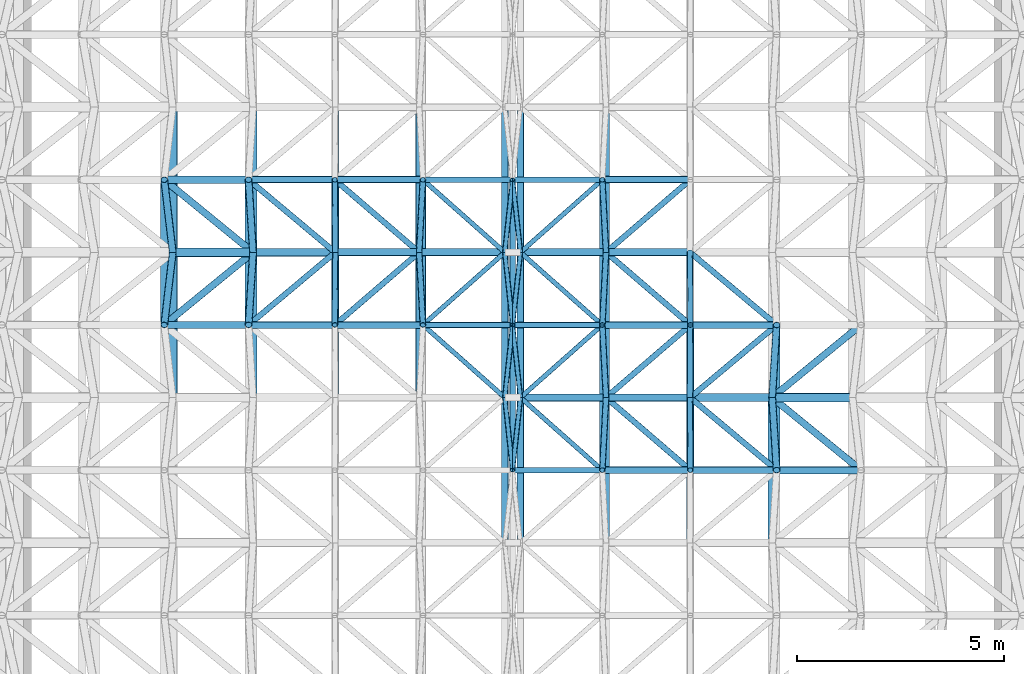
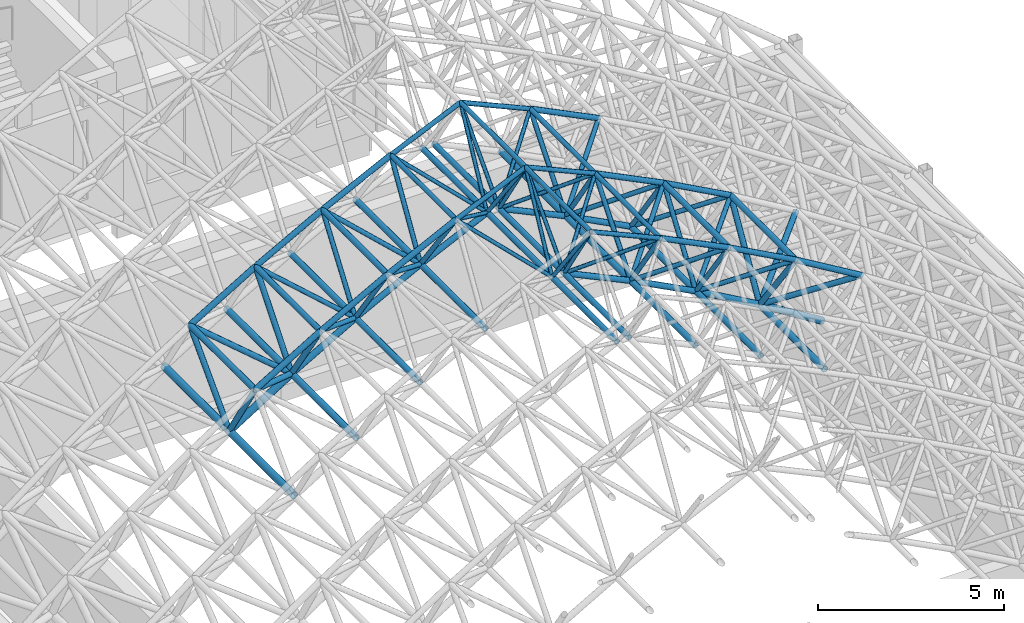
# One storey, part 46 of 141: 104 members.
"""IFC4 building model written with IfcOpenShell, lengths in metres."""

from ifc_helpers import new_model, si_unit, direction, frame, origin, origin_2d, place, context, subcontext, project, spatial, hollow_circle, extrude, material, material_profile, profile_set, type_object, element, save


model = new_model("IFC4")

# Units and contexts
model_context = context("Model", 3, precision=1e-05, world=origin(), true_north=direction((0.0, 1.0)))
body_context = subcontext(model_context, "Body", "Model", "MODEL_VIEW")
ifc_project = project(units=[si_unit("LENGTHUNIT", "METRE"), si_unit("AREAUNIT", "SQUARE_METRE"), si_unit("VOLUMEUNIT", "CUBIC_METRE"), si_unit("PLANEANGLEUNIT", "RADIAN"), si_unit("MASSUNIT", "GRAM", prefix="KILO")], contexts=[model_context])

# Site, building, storey
site_placement = place(None, origin())
site = spatial("IfcSite", under=ifc_project, at=site_placement, CompositionType="ELEMENT")
building_placement = place(site_placement, origin())
building = spatial("IfcBuilding", under=site, at=building_placement, Name="Lantern Court Media Centre", CompositionType="ELEMENT")
storey_placement = place(building_placement, frame((0.0, 0.0, 9.60009765625)))
storey = spatial("IfcBuildingStorey", under=building, at=storey_placement, Name="L02", CompositionType="ELEMENT", Elevation=9.60009765625)

# Members
ifc_material = material(Name="Steel S355J2 (EN 10025-2)", Category="steel")
ifc_material_profile_1 = material_profile(ifc_material, hollow_circle(Radius=0.084228515625, WallThickness=0.00634765625, at=origin_2d()), Name="Studio Hall bottom CHS 168.3x6.3")
ifc_profile_set_1 = profile_set([ifc_material_profile_1], Name="Steel S355J2 (EN 10025-2)")
member_type_1 = type_object("IfcMemberType", Name="Studio Hall bottom CHS 168.3x6.3", PredefinedType="CHORD", material=ifc_profile_set_1)
for number, where, z_axis, x_axis, name in (
    (1, (87.812255859375, 20.75, 12.31884765625), (0.0, 1.0, 0.0), (-1.0, 0.0, 0.0), "Studio Hall bottom chord 08-07"),
    (2, (88.187744140625, 20.75, 12.31884765625), (0.0, 1.0, 0.0), (-1.0, 0.0, 0.0), "Studio Hall bottom chord 09-07"),
    (3, (87.812255859375, 24.25, 12.31884765625), (0.0, 1.0, 0.0), (-1.0, 0.0, 0.0), "Studio Hall bottom chord 08-08"),
    (4, (88.187744140625, 24.25, 12.31884765625), (0.0, 1.0, 0.0), (-1.0, 0.0, 0.0), "Studio Hall bottom chord 09-08"),
    (5, (87.812255859375, 27.75, 12.31884765625), (0.0, 1.0, 0.0), (-1.0, 0.0, 0.0), "Studio Hall bottom chord 08-09"),
    (6, (88.187744140625, 27.75, 12.31884765625), (0.0, 1.0, 0.0), (-1.0, 0.0, 0.0), "Studio Hall bottom chord 09-09"),
):
    element("IfcMember", number, at=place(storey_placement, frame(where, z_axis=z_axis, x_axis=x_axis)), inside=storey, type_object=member_type_1, Name=name, PredefinedType="CHORD", context=body_context, shape_type="SweptSolid", body=[
        extrude(hollow_circle(Radius=0.084228515625, WallThickness=0.00634765625, at=origin_2d()), origin(), (0.0, 0.0, 1.0), 3.5),
    ])
ifc_material_profile_2 = material_profile(ifc_material, hollow_circle(Radius=0.0888671875, WallThickness=0.008056640625, at=origin_2d()), Name="Studio Hall bottom CHS 177.8x8")
ifc_profile_set_2 = profile_set([ifc_material_profile_2], Name="Steel S355J2 (EN 10025-2)")
member_type_2 = type_object("IfcMemberType", Name="Studio Hall bottom CHS 177.8x8", PredefinedType="CHORD", material=ifc_profile_set_2)
for number, where, z_axis, x_axis, name in (
    (7, (90.251708984375, 20.75, 11.3466796875), (0.0, 1.0, 0.0), (-1.0, 0.0, 0.0), "Studio Hall bottom chord 10-07"),
    (8, (92.275634765625, 20.75, 10.2939453125), (0.0, 1.0, 0.0), (-1.0, 0.0, 0.0), "Studio Hall bottom chord 11-07"),
    (9, (83.724365234375, 24.25, 10.2939453125), (0.0, 1.0, 0.0), (-1.0, 0.0, 0.0), "Studio Hall bottom chord 06-08"),
    (10, (85.748291015625, 24.25, 11.3466796875), (0.0, 1.0, 0.0), (-1.0, 0.0, 0.0), "Studio Hall bottom chord 07-08"),
    (11, (90.251708984375, 24.25, 11.3466796875), (0.0, 1.0, 0.0), (-1.0, 0.0, 0.0), "Studio Hall bottom chord 10-08"),
    (12, (92.275634765625, 24.25, 10.2939453125), (0.0, 1.0, 0.0), (-1.0, 0.0, 0.0), "Studio Hall bottom chord 11-08"),
    (13, (83.724365234375, 27.75, 10.2939453125), (0.0, 1.0, 0.0), (-1.0, 0.0, 0.0), "Studio Hall bottom chord 06-09"),
    (14, (85.748291015625, 27.75, 11.3466796875), (0.0, 1.0, 0.0), (-1.0, 0.0, 0.0), "Studio Hall bottom chord 07-09"),
    (15, (90.251708984375, 27.75, 11.3466796875), (0.0, 1.0, 0.0), (-1.0, 0.0, 0.0), "Studio Hall bottom chord 10-09"),
):
    element("IfcMember", number, at=place(storey_placement, frame(where, z_axis=z_axis, x_axis=x_axis)), inside=storey, type_object=member_type_2, Name=name, PredefinedType="CHORD", context=body_context, shape_type="SweptSolid", body=[
        extrude(hollow_circle(Radius=0.0888671875, WallThickness=0.008056640625, at=origin_2d()), origin(), (0.0, 0.0, 1.0), 3.5),
    ])
member_1_placement = place(storey_placement, frame((88.187744140625, 24.25, 12.31884765625), z_axis=(0.904668285171, 0.0, -0.426116526088), x_axis=(0.0, 1.0, 0.0)))
element("IfcMember", 16, at=member_1_placement, inside=storey, type_object=member_type_2, Name="Studio Hall bottom chord 09-08 across", PredefinedType="CHORD", context=body_context, shape_type="SweptSolid", body=[
    extrude(hollow_circle(Radius=0.0888671875, WallThickness=0.008056640625, at=origin_2d()), origin(), (0.0, 0.0, 1.0), 2.281494140625),
])
for number, where, z_axis, x_axis, name in (
    (17, (90.251708984375, 24.25, 11.3466796875), (0.887164230848, 0.0, -0.461453819471), (0.0, 1.0, 0.0), "Studio Hall bottom chord 10-08 across"),
    (18, (83.724365234375, 27.75, 10.2939453125), (0.887164230848, 0.0, 0.461453819471), (0.0, 1.0, 0.0), "Studio Hall bottom chord 06-09 across"),
):
    element("IfcMember", number, at=place(storey_placement, frame(where, z_axis=z_axis, x_axis=x_axis)), inside=storey, type_object=member_type_2, Name=name, PredefinedType="CHORD", context=body_context, shape_type="SweptSolid", body=[
        extrude(hollow_circle(Radius=0.0888671875, WallThickness=0.008056640625, at=origin_2d()), origin(), (0.0, 0.0, 1.0), 2.28125),
    ])
for number, where, z_axis, x_axis, name in (
    (19, (85.748291015625, 27.75, 11.3466796875), (0.904668285171, 0.0, 0.426116526088), (0.0, 1.0, 0.0), "Studio Hall bottom chord 07-09 across"),
    (20, (88.187744140625, 27.75, 12.31884765625), (0.904668285171, 0.0, -0.426116526088), (0.0, 1.0, 0.0), "Studio Hall bottom chord 09-09 across"),
):
    element("IfcMember", number, at=place(storey_placement, frame(where, z_axis=z_axis, x_axis=x_axis)), inside=storey, type_object=member_type_2, Name=name, PredefinedType="CHORD", context=body_context, shape_type="SweptSolid", body=[
        extrude(hollow_circle(Radius=0.0888671875, WallThickness=0.008056640625, at=origin_2d()), origin(), (0.0, 0.0, 1.0), 2.281494140625),
    ])
member_2_placement = place(storey_placement, frame((90.251708984375, 27.75, 11.3466796875), z_axis=(0.887164230848, 0.0, -0.461453819471), x_axis=(0.0, 1.0, 0.0)))
element("IfcMember", 21, at=member_2_placement, inside=storey, type_object=member_type_2, Name="Studio Hall bottom chord 10-09 across", PredefinedType="CHORD", context=body_context, shape_type="SweptSolid", body=[
    extrude(hollow_circle(Radius=0.0888671875, WallThickness=0.008056640625, at=origin_2d()), origin(), (0.0, 0.0, 1.0), 2.28125),
])
ifc_material_profile_3 = material_profile(ifc_material, hollow_circle(Radius=0.096923828125, WallThickness=0.008056640625, at=origin_2d()), Name="Studio Hall bottom CHS 193.7x8")
ifc_profile_set_3 = profile_set([ifc_material_profile_3], Name="Steel S355J2 (EN 10025-2)")
member_type_3 = type_object("IfcMemberType", Name="Studio Hall bottom CHS 193.7x8", PredefinedType="CHORD", material=ifc_profile_set_3)
for number, where, z_axis, x_axis, name in (
    (22, (94.25634765625, 20.75, 9.162109375), (0.0, 1.0, 0.0), (-1.0, 0.0, 0.0), "Studio Hall bottom chord 12-07"),
    (23, (81.74365234375, 24.25, 9.162109375), (0.0, 1.0, 0.0), (-1.0, 0.0, 0.0), "Studio Hall bottom chord 05-08"),
    (24, (81.74365234375, 27.75, 9.162109375), (0.0, 1.0, 0.0), (-1.0, 0.0, 0.0), "Studio Hall bottom chord 05-09"),
):
    element("IfcMember", number, at=place(storey_placement, frame(where, z_axis=z_axis, x_axis=x_axis)), inside=storey, type_object=member_type_3, Name=name, PredefinedType="CHORD", context=body_context, shape_type="SweptSolid", body=[
        extrude(hollow_circle(Radius=0.096923828125, WallThickness=0.008056640625, at=origin_2d()), origin(), (0.0, 0.0, 1.0), 3.5),
    ])
for number, where, z_axis, x_axis, name in (
    (25, (92.275634765625, 24.25, 10.2939453125), (0.868243142124, 0.0, -0.496138938357), (0.0, 1.0, 0.0), "Studio Hall bottom chord 11-08 across"),
    (26, (81.74365234375, 27.75, 9.162109375), (0.868243142124, 0.0, 0.496138938357), (0.0, 1.0, 0.0), "Studio Hall bottom chord 05-09 across"),
):
    element("IfcMember", number, at=place(storey_placement, frame(where, z_axis=z_axis, x_axis=x_axis)), inside=storey, type_object=member_type_3, Name=name, PredefinedType="CHORD", context=body_context, shape_type="SweptSolid", body=[
        extrude(hollow_circle(Radius=0.096923828125, WallThickness=0.008056640625, at=origin_2d()), origin(), (0.0, 0.0, 1.0), 2.28125),
    ])
ifc_material_profile_4 = material_profile(ifc_material, hollow_circle(Radius=0.109619140625, WallThickness=0.010009765625, at=origin_2d()), Name="Studio Hall bottom CHS 219.1x10")
ifc_profile_set_4 = profile_set([ifc_material_profile_4], Name="Steel S355J2 (EN 10025-2)")
member_type_4 = type_object("IfcMemberType", Name="Studio Hall bottom CHS 219.1x10", PredefinedType="CHORD", material=ifc_profile_set_4)
for number, where, z_axis, x_axis, name in (
    (27, (79.80908203125, 24.25, 7.953125), (0.0, 1.0, 0.0), (-1.0, 0.0, 0.0), "Studio Hall bottom chord 04-08"),
    (28, (79.80908203125, 27.75, 7.953125), (0.0, 1.0, 0.0), (-1.0, 0.0, 0.0), "Studio Hall bottom chord 04-09"),
):
    element("IfcMember", number, at=place(storey_placement, frame(where, z_axis=z_axis, x_axis=x_axis)), inside=storey, type_object=member_type_4, Name=name, PredefinedType="CHORD", context=body_context, shape_type="SweptSolid", body=[
        extrude(hollow_circle(Radius=0.109619140625, WallThickness=0.010009765625, at=origin_2d()), origin(), (0.0, 0.0, 1.0), 3.5),
    ])
for number, where, z_axis, x_axis, name in (
    (29, (94.25634765625, 24.25, 9.162109375), (0.848022352453, 0.0, -0.529960460544), (0.0, 1.0, 0.0), "Studio Hall bottom chord 12-08 across"),
    (30, (79.80908203125, 27.75, 7.953125), (0.848022352453, 0.0, 0.529960460544), (0.0, 1.0, 0.0), "Studio Hall bottom chord 04-09 across"),
):
    element("IfcMember", number, at=place(storey_placement, frame(where, z_axis=z_axis, x_axis=x_axis)), inside=storey, type_object=member_type_4, Name=name, PredefinedType="CHORD", context=body_context, shape_type="SweptSolid", body=[
        extrude(hollow_circle(Radius=0.109619140625, WallThickness=0.010009765625, at=origin_2d()), origin(), (0.0, 0.0, 1.0), 2.28125),
    ])
ifc_material_profile_5 = material_profile(ifc_material, hollow_circle(Radius=0.05712890625, WallThickness=0.0048828125, at=origin_2d()), Name="Studio Hall diagonal CHS 114.3x5")
ifc_profile_set_5 = profile_set([ifc_material_profile_5], Name="Steel S355J2 (EN 10025-2)")
member_type_5 = type_object("IfcMemberType", Name="Studio Hall diagonal CHS 114.3x5", PredefinedType="BRACE", material=ifc_profile_set_5)
for number, where, z_axis, x_axis, name in (
    (31, (87.812255859375, 24.25, 12.31884765625), (0.061720233377, -0.575306414621, 0.815605996844), (0.994294451035, 0.106670261279, 0.0), "Studio Hall diagonal 08-08-2"),
    (32, (87.812255859375, 24.25, 12.31884765625), (0.061720233377, 0.575306414621, 0.815605996844), (-0.994294451035, 0.106670261279, 0.0), "Studio Hall diagonal 08-08-3"),
):
    element("IfcMember", number, at=place(storey_placement, frame(where, z_axis=z_axis, x_axis=x_axis)), inside=storey, type_object=member_type_5, Name=name, PredefinedType="BRACE", context=body_context, shape_type="SweptSolid", body=[
        extrude(hollow_circle(Radius=0.05712890625, WallThickness=0.0048828125, at=origin_2d()), origin(), (0.0, 0.0, 1.0), 3.041748046875),
    ])
member_3_placement = place(storey_placement, frame((87.812255859375, 24.25, 12.31884765625), z_axis=(-0.64897917405, 0.57530085575, 0.497850335967), x_axis=(-0.663352272412, -0.748307264889, 0.0)))
element("IfcMember", 33, at=member_3_placement, inside=storey, type_object=member_type_5, Name="Studio Hall diagonal 08-08-4", PredefinedType="BRACE", context=body_context, shape_type="SweptSolid", body=[
    extrude(hollow_circle(Radius=0.05712890625, WallThickness=0.0048828125, at=origin_2d()), origin(), (0.0, 0.0, 1.0), 3.0419921875),
])
member_4_placement = place(storey_placement, frame((88.187744140625, 24.25, 12.31884765625), z_axis=(-0.061720233377, -0.575306414621, 0.815605996844), x_axis=(0.994294451035, -0.106670261279, 0.0)))
element("IfcMember", 34, at=member_4_placement, inside=storey, type_object=member_type_5, Name="Studio Hall diagonal 09-08-1", PredefinedType="BRACE", context=body_context, shape_type="SweptSolid", body=[
    extrude(hollow_circle(Radius=0.05712890625, WallThickness=0.0048828125, at=origin_2d()), origin(), (0.0, 0.0, 1.0), 3.041748046875),
])
for number, where, z_axis, x_axis, name in (
    (35, (88.187744140625, 24.25, 12.31884765625), (0.64897917405, -0.57530085575, 0.497850335967), (0.663352272412, 0.748307264889, 0.0), "Studio Hall diagonal 09-08-2"),
    (36, (88.187744140625, 24.25, 12.31884765625), (0.64897917405, 0.57530085575, 0.497850335967), (-0.663352272412, 0.748307264889, 0.0), "Studio Hall diagonal 09-08-3"),
):
    element("IfcMember", number, at=place(storey_placement, frame(where, z_axis=z_axis, x_axis=x_axis)), inside=storey, type_object=member_type_5, Name=name, PredefinedType="BRACE", context=body_context, shape_type="SweptSolid", body=[
        extrude(hollow_circle(Radius=0.05712890625, WallThickness=0.0048828125, at=origin_2d()), origin(), (0.0, 0.0, 1.0), 3.0419921875),
    ])
member_5_placement = place(storey_placement, frame((88.187744140625, 24.25, 12.31884765625), z_axis=(-0.061720233377, 0.575306414621, 0.815605996844), x_axis=(-0.994294451035, -0.106670261279, 0.0)))
element("IfcMember", 37, at=member_5_placement, inside=storey, type_object=member_type_5, Name="Studio Hall diagonal 09-08-4", PredefinedType="BRACE", context=body_context, shape_type="SweptSolid", body=[
    extrude(hollow_circle(Radius=0.05712890625, WallThickness=0.0048828125, at=origin_2d()), origin(), (0.0, 0.0, 1.0), 3.041748046875),
])
member_6_placement = place(storey_placement, frame((87.812255859375, 27.75, 12.31884765625), z_axis=(-0.64897917405, -0.57530085575, 0.497850335967), x_axis=(0.663352272412, -0.748307264889, 0.0)))
element("IfcMember", 38, at=member_6_placement, inside=storey, type_object=member_type_5, Name="Studio Hall diagonal 08-09-1", PredefinedType="BRACE", context=body_context, shape_type="SweptSolid", body=[
    extrude(hollow_circle(Radius=0.05712890625, WallThickness=0.0048828125, at=origin_2d()), origin(), (0.0, 0.0, 1.0), 3.0419921875),
])
for number, where, z_axis, x_axis, name in (
    (39, (87.812255859375, 27.75, 12.31884765625), (0.061720233377, -0.575306414621, 0.815605996844), (0.994294451035, 0.106670261279, 0.0), "Studio Hall diagonal 08-09-2"),
    (40, (87.812255859375, 27.75, 12.31884765625), (0.061720233377, 0.575306414621, 0.815605996844), (-0.994294451035, 0.106670261279, 0.0), "Studio Hall diagonal 08-09-3"),
):
    element("IfcMember", number, at=place(storey_placement, frame(where, z_axis=z_axis, x_axis=x_axis)), inside=storey, type_object=member_type_5, Name=name, PredefinedType="BRACE", context=body_context, shape_type="SweptSolid", body=[
        extrude(hollow_circle(Radius=0.05712890625, WallThickness=0.0048828125, at=origin_2d()), origin(), (0.0, 0.0, 1.0), 3.041748046875),
    ])
member_7_placement = place(storey_placement, frame((87.812255859375, 27.75, 12.31884765625), z_axis=(-0.64897917405, 0.57530085575, 0.497850335967), x_axis=(-0.663352272412, -0.748307264889, 0.0)))
element("IfcMember", 41, at=member_7_placement, inside=storey, type_object=member_type_5, Name="Studio Hall diagonal 08-09-4", PredefinedType="BRACE", context=body_context, shape_type="SweptSolid", body=[
    extrude(hollow_circle(Radius=0.05712890625, WallThickness=0.0048828125, at=origin_2d()), origin(), (0.0, 0.0, 1.0), 3.0419921875),
])
member_8_placement = place(storey_placement, frame((88.187744140625, 27.75, 12.31884765625), z_axis=(-0.061720233377, -0.575306414621, 0.815605996844), x_axis=(0.994294451035, -0.106670261279, 0.0)))
element("IfcMember", 42, at=member_8_placement, inside=storey, type_object=member_type_5, Name="Studio Hall diagonal 09-09-1", PredefinedType="BRACE", context=body_context, shape_type="SweptSolid", body=[
    extrude(hollow_circle(Radius=0.05712890625, WallThickness=0.0048828125, at=origin_2d()), origin(), (0.0, 0.0, 1.0), 3.041748046875),
])
for number, where, z_axis, x_axis, name in (
    (43, (88.187744140625, 27.75, 12.31884765625), (0.64897917405, -0.57530085575, 0.497850335967), (0.663352272412, 0.748307264889, 0.0), "Studio Hall diagonal 09-09-2"),
    (44, (88.187744140625, 27.75, 12.31884765625), (0.64897917405, 0.57530085575, 0.497850335967), (-0.663352272412, 0.748307264889, 0.0), "Studio Hall diagonal 09-09-3"),
):
    element("IfcMember", number, at=place(storey_placement, frame(where, z_axis=z_axis, x_axis=x_axis)), inside=storey, type_object=member_type_5, Name=name, PredefinedType="BRACE", context=body_context, shape_type="SweptSolid", body=[
        extrude(hollow_circle(Radius=0.05712890625, WallThickness=0.0048828125, at=origin_2d()), origin(), (0.0, 0.0, 1.0), 3.0419921875),
    ])
member_9_placement = place(storey_placement, frame((88.187744140625, 27.75, 12.31884765625), z_axis=(-0.061720233377, 0.575306414621, 0.815605996844), x_axis=(-0.994294451035, -0.106670261279, 0.0)))
element("IfcMember", 45, at=member_9_placement, inside=storey, type_object=member_type_5, Name="Studio Hall diagonal 09-09-4", PredefinedType="BRACE", context=body_context, shape_type="SweptSolid", body=[
    extrude(hollow_circle(Radius=0.05712890625, WallThickness=0.0048828125, at=origin_2d()), origin(), (0.0, 0.0, 1.0), 3.041748046875),
])
ifc_material_profile_6 = material_profile(ifc_material, hollow_circle(Radius=0.06982421875, WallThickness=0.00634765625, at=origin_2d()), Name="Studio Hall diagonal CHS 139.7x6.3")
ifc_profile_set_6 = profile_set([ifc_material_profile_6], Name="Steel S355J2 (EN 10025-2)")
member_type_6 = type_object("IfcMemberType", Name="Studio Hall diagonal CHS 139.7x6.3", PredefinedType="BRACE", material=ifc_profile_set_6)
for number, where, z_axis, x_axis, name in (
    (46, (90.251708984375, 24.25, 11.3466796875), (-0.029534674704, -0.575284098581, 0.817420276792), (0.998684738299, -0.051271761118, 0.0), "Studio Hall diagonal 10-08-1"),
    (47, (90.251708984375, 24.25, 11.3466796875), (0.668074997838, -0.575295721349, 0.471922271419), (0.652528943422, 0.757763800927, 0.0), "Studio Hall diagonal 10-08-2"),
    (48, (90.251708984375, 24.25, 11.3466796875), (0.668074997838, 0.575295721349, 0.471922271419), (-0.652528943422, 0.757763800927, 0.0), "Studio Hall diagonal 10-08-3"),
    (49, (90.251708984375, 24.25, 11.3466796875), (-0.029534674704, 0.575284098581, 0.817420276792), (-0.998684738299, -0.051271761118, 0.0), "Studio Hall diagonal 10-08-4"),
    (50, (92.275634765625, 24.25, 10.2939453125), (0.002728673556, -0.575268589684, 0.817960025957), (0.999988750725, 0.004743250213, 0.0), "Studio Hall diagonal 11-08-1"),
    (51, (92.275634765625, 24.25, 10.2939453125), (0.686219606918, -0.575300835367, 0.445119759061), (0.642456097081, 0.76632249303, 0.0), "Studio Hall diagonal 11-08-2"),
    (52, (92.275634765625, 24.25, 10.2939453125), (0.686219606918, 0.575300835367, 0.445119759061), (-0.642456097081, 0.76632249303, 0.0), "Studio Hall diagonal 11-08-3"),
    (53, (92.275634765625, 24.25, 10.2939453125), (0.002728673556, 0.575268589684, 0.817960025957), (-0.999988750725, 0.004743250213, 0.0), "Studio Hall diagonal 11-08-4"),
    (54, (83.724365234375, 27.75, 10.2939453125), (-0.686219606918, -0.575300835367, 0.445119759061), (0.642456097081, -0.76632249303, 0.0), "Studio Hall diagonal 06-09-1"),
    (55, (83.724365234375, 27.75, 10.2939453125), (-0.002728673556, -0.575268589684, 0.817960025957), (0.999988750725, -0.004743250213, 0.0), "Studio Hall diagonal 06-09-2"),
    (56, (83.724365234375, 27.75, 10.2939453125), (-0.002728673556, 0.575268589684, 0.817960025957), (-0.999988750725, -0.004743250213, 0.0), "Studio Hall diagonal 06-09-3"),
    (57, (83.724365234375, 27.75, 10.2939453125), (-0.686219606918, 0.575300835367, 0.445119759061), (-0.642456097081, -0.76632249303, 0.0), "Studio Hall diagonal 06-09-4"),
    (58, (85.748291015625, 27.75, 11.3466796875), (-0.668074997838, -0.575295721349, 0.471922271419), (0.652528943422, -0.757763800927, 0.0), "Studio Hall diagonal 07-09-1"),
    (59, (85.748291015625, 27.75, 11.3466796875), (0.029534674704, -0.575284098581, 0.817420276792), (0.998684738299, 0.051271761118, 0.0), "Studio Hall diagonal 07-09-2"),
    (60, (85.748291015625, 27.75, 11.3466796875), (0.029534674704, 0.575284098581, 0.817420276792), (-0.998684738299, 0.051271761118, 0.0), "Studio Hall diagonal 07-09-3"),
    (61, (85.748291015625, 27.75, 11.3466796875), (-0.668074997838, 0.575295721349, 0.471922271419), (-0.652528943422, -0.757763800927, 0.0), "Studio Hall diagonal 07-09-4"),
    (62, (90.251708984375, 27.75, 11.3466796875), (-0.029534674704, -0.575284098581, 0.817420276792), (0.998684738299, -0.051271761118, 0.0), "Studio Hall diagonal 10-09-1"),
    (63, (90.251708984375, 27.75, 11.3466796875), (0.668074997838, -0.575295721349, 0.471922271419), (0.652528943422, 0.757763800927, 0.0), "Studio Hall diagonal 10-09-2"),
    (64, (90.251708984375, 27.75, 11.3466796875), (0.668074997838, 0.575295721349, 0.471922271419), (-0.652528943422, 0.757763800927, 0.0), "Studio Hall diagonal 10-09-3"),
    (65, (90.251708984375, 27.75, 11.3466796875), (-0.029534674704, 0.575284098581, 0.817420276792), (-0.998684738299, -0.051271761118, 0.0), "Studio Hall diagonal 10-09-4"),
    (66, (92.275634765625, 27.75, 10.2939453125), (0.002728673556, -0.575268589684, 0.817960025957), (0.999988750725, 0.004743250213, 0.0), "Studio Hall diagonal 11-09-1"),
    (67, (92.275634765625, 27.75, 10.2939453125), (0.686219606918, -0.575300835367, 0.445119759061), (0.642456097081, 0.76632249303, 0.0), "Studio Hall diagonal 11-09-2"),
):
    element("IfcMember", number, at=place(storey_placement, frame(where, z_axis=z_axis, x_axis=x_axis)), inside=storey, type_object=member_type_6, Name=name, PredefinedType="BRACE", context=body_context, shape_type="SweptSolid", body=[
        extrude(hollow_circle(Radius=0.06982421875, WallThickness=0.00634765625, at=origin_2d()), origin(), (0.0, 0.0, 1.0), 3.0419921875),
    ])
ifc_material_profile_7 = material_profile(ifc_material, hollow_circle(Radius=0.084228515625, WallThickness=0.00634765625, at=origin_2d()), Name="Studio Hall diagonal CHS 168.3x6.3")
ifc_profile_set_7 = profile_set([ifc_material_profile_7], Name="Steel S355J2 (EN 10025-2)")
member_type_7 = type_object("IfcMemberType", Name="Studio Hall diagonal CHS 168.3x6.3", PredefinedType="BRACE", material=ifc_profile_set_7)
for number, where, z_axis, x_axis, name in (
    (68, (94.25634765625, 24.25, 9.162109375), (0.035073053804, -0.575294392838, 0.817194127773), (0.99814677432, 0.060852419138, 0.0), "Studio Hall diagonal 12-08-1"),
    (69, (94.25634765625, 24.25, 9.162109375), (0.703225463004, -0.575293325589, 0.417745781207), (0.633189685482, 0.77399665516, 0.0), "Studio Hall diagonal 12-08-2"),
    (70, (94.25634765625, 24.25, 9.162109375), (0.703225463004, 0.575293325589, 0.417745781207), (-0.633189685482, 0.77399665516, 0.0), "Studio Hall diagonal 12-08-3"),
    (71, (94.25634765625, 24.25, 9.162109375), (0.035073053804, 0.575294392838, 0.817194127773), (-0.99814677432, 0.060852419138, 0.0), "Studio Hall diagonal 12-08-4"),
    (72, (81.74365234375, 27.75, 9.162109375), (-0.703225463004, -0.575293325589, 0.417745781207), (0.633189685482, -0.77399665516, 0.0), "Studio Hall diagonal 05-09-1"),
    (73, (81.74365234375, 27.75, 9.162109375), (-0.035073053804, -0.575294392838, 0.817194127773), (0.99814677432, -0.060852419138, 0.0), "Studio Hall diagonal 05-09-2"),
    (74, (81.74365234375, 27.75, 9.162109375), (-0.035073053804, 0.575294392838, 0.817194127773), (-0.99814677432, -0.060852419138, 0.0), "Studio Hall diagonal 05-09-3"),
    (75, (81.74365234375, 27.75, 9.162109375), (-0.703225463004, 0.575293325589, 0.417745781207), (-0.633189685482, -0.77399665516, 0.0), "Studio Hall diagonal 05-09-4"),
):
    element("IfcMember", number, at=place(storey_placement, frame(where, z_axis=z_axis, x_axis=x_axis)), inside=storey, type_object=member_type_7, Name=name, PredefinedType="BRACE", context=body_context, shape_type="SweptSolid", body=[
        extrude(hollow_circle(Radius=0.084228515625, WallThickness=0.00634765625, at=origin_2d()), origin(), (0.0, 0.0, 1.0), 3.0419921875),
    ])
ifc_material_profile_8 = material_profile(ifc_material, hollow_circle(Radius=0.084228515625, WallThickness=0.008056640625, at=origin_2d()), Name="Studio Hall diagonal CHS 168.3x8")
ifc_profile_set_8 = profile_set([ifc_material_profile_8], Name="Steel S355J2 (EN 10025-2)")
member_type_8 = type_object("IfcMemberType", Name="Studio Hall diagonal CHS 168.3x8", PredefinedType="BRACE", material=ifc_profile_set_8)
for number, where, z_axis, x_axis, name in (
    (76, (79.80908203125, 27.75, 7.953125), (-0.067256187735, -0.575289204878, 0.815180308865), (0.993235466132, -0.116117650756, 0.0), "Studio Hall diagonal 04-09-2"),
    (77, (79.80908203125, 27.75, 7.953125), (-0.067256187735, 0.575289204878, 0.815180308865), (-0.993235466132, -0.116117650756, 0.0), "Studio Hall diagonal 04-09-3"),
):
    element("IfcMember", number, at=place(storey_placement, frame(where, z_axis=z_axis, x_axis=x_axis)), inside=storey, type_object=member_type_8, Name=name, PredefinedType="BRACE", context=body_context, shape_type="SweptSolid", body=[
        extrude(hollow_circle(Radius=0.084228515625, WallThickness=0.008056640625, at=origin_2d()), origin(), (0.0, 0.0, 1.0), 3.0419921875),
    ])
ifc_material_profile_9 = material_profile(ifc_material, hollow_circle(Radius=0.06982421875, WallThickness=0.00634765625, at=origin_2d()), Name="Studio Hall top CHS 139.7x6.3")
ifc_profile_set_9 = profile_set([ifc_material_profile_9], Name="Steel S355J2 (EN 10025-2)")
member_type_9 = type_object("IfcMemberType", Name="Studio Hall top CHS 139.7x6.3", PredefinedType="CHORD", material=ifc_profile_set_9)
for number, where, z_axis, x_axis, name in (
    (78, (88.0, 22.5, 14.7998046875), (0.0, 1.0, 0.0), (-1.0, 0.0, 0.0), "Studio Hall top chord 09-08"),
    (79, (90.161865234375, 22.5, 13.833251953125), (0.0, 1.0, 0.0), (-1.0, 0.0, 0.0), "Studio Hall top chord 10-08"),
    (80, (85.838134765625, 26.0, 13.833251953125), (0.0, 1.0, 0.0), (-1.0, 0.0, 0.0), "Studio Hall top chord 08-09"),
    (81, (88.0, 26.0, 14.7998046875), (0.0, 1.0, 0.0), (-1.0, 0.0, 0.0), "Studio Hall top chord 09-09"),
    (82, (90.161865234375, 26.0, 13.833251953125), (0.0, 1.0, 0.0), (-1.0, 0.0, 0.0), "Studio Hall top chord 10-09"),
):
    element("IfcMember", number, at=place(storey_placement, frame(where, z_axis=z_axis, x_axis=x_axis)), inside=storey, type_object=member_type_9, Name=name, PredefinedType="CHORD", context=body_context, shape_type="SweptSolid", body=[
        extrude(hollow_circle(Radius=0.06982421875, WallThickness=0.00634765625, at=origin_2d()), origin(), (0.0, 0.0, 1.0), 3.5),
    ])
for number, where, z_axis, x_axis, name in (
    (83, (88.0, 22.5, 14.7998046875), (0.912912280931, 0.0, -0.408155812559), (0.0, 1.0, 0.0), "Studio Hall top chord 09-08 across"),
    (84, (85.838134765625, 26.0, 13.833251953125), (0.912912280931, 0.0, 0.408155812559), (0.0, 1.0, 0.0), "Studio Hall top chord 08-09 across"),
    (85, (88.0, 26.0, 14.7998046875), (0.912912280931, 0.0, -0.408155812559), (0.0, 1.0, 0.0), "Studio Hall top chord 09-09 across"),
    (86, (85.838134765625, 29.5, 13.833251953125), (0.912912280931, 0.0, 0.408155812559), (0.0, 1.0, 0.0), "Studio Hall top chord 08-10 across"),
    (87, (88.0, 29.5, 14.7998046875), (0.912912280931, 0.0, -0.408155812559), (0.0, 1.0, 0.0), "Studio Hall top chord 09-10 across"),
):
    element("IfcMember", number, at=place(storey_placement, frame(where, z_axis=z_axis, x_axis=x_axis)), inside=storey, type_object=member_type_9, Name=name, PredefinedType="CHORD", context=body_context, shape_type="SweptSolid", body=[
        extrude(hollow_circle(Radius=0.06982421875, WallThickness=0.00634765625, at=origin_2d()), origin(), (0.0, 0.0, 1.0), 2.3681640625),
    ])
ifc_material_profile_10 = material_profile(ifc_material, hollow_circle(Radius=0.084228515625, WallThickness=0.00634765625, at=origin_2d()), Name="Studio Hall top CHS 168.3x6.3")
ifc_profile_set_10 = profile_set([ifc_material_profile_10], Name="Steel S355J2 (EN 10025-2)")
member_type_10 = type_object("IfcMemberType", Name="Studio Hall top CHS 168.3x6.3", PredefinedType="CHORD", material=ifc_profile_set_10)
for number, where, z_axis, x_axis, name in (
    (88, (92.283935546875, 22.5, 12.7822265625), (0.0, 1.0, 0.0), (-1.0, 0.0, 0.0), "Studio Hall top chord 11-08"),
    (89, (94.363037109375, 22.5, 11.64794921875), (0.0, 1.0, 0.0), (-1.0, 0.0, 0.0), "Studio Hall top chord 12-08"),
    (90, (81.636962890625, 26.0, 11.64794921875), (0.0, 1.0, 0.0), (-1.0, 0.0, 0.0), "Studio Hall top chord 06-09"),
    (91, (83.716064453125, 26.0, 12.7822265625), (0.0, 1.0, 0.0), (-1.0, 0.0, 0.0), "Studio Hall top chord 07-09"),
):
    element("IfcMember", number, at=place(storey_placement, frame(where, z_axis=z_axis, x_axis=x_axis)), inside=storey, type_object=member_type_10, Name=name, PredefinedType="CHORD", context=body_context, shape_type="SweptSolid", body=[
        extrude(hollow_circle(Radius=0.084228515625, WallThickness=0.00634765625, at=origin_2d()), origin(), (0.0, 0.0, 1.0), 3.5),
    ])
member_10_placement = place(storey_placement, frame((90.161865234375, 22.5, 13.833251953125), z_axis=(0.89611157523, 0.0, -0.443828846222), x_axis=(0.0, 1.0, 0.0)))
element("IfcMember", 92, at=member_10_placement, inside=storey, type_object=member_type_10, Name="Studio Hall top chord 10-08 across", PredefinedType="CHORD", context=body_context, shape_type="SweptSolid", body=[
    extrude(hollow_circle(Radius=0.084228515625, WallThickness=0.00634765625, at=origin_2d()), origin(), (0.0, 0.0, 1.0), 2.3681640625),
])
for number, where, z_axis, x_axis, name in (
    (93, (92.283935546875, 22.5, 12.7822265625), (0.877856175106, 0.0, -0.478924352929), (0.0, 1.0, 0.0), "Studio Hall top chord 11-08 across"),
    (94, (81.636962890625, 26.0, 11.64794921875), (0.877856175106, 0.0, 0.478924352929), (0.0, 1.0, 0.0), "Studio Hall top chord 06-09 across"),
):
    element("IfcMember", number, at=place(storey_placement, frame(where, z_axis=z_axis, x_axis=x_axis)), inside=storey, type_object=member_type_10, Name=name, PredefinedType="CHORD", context=body_context, shape_type="SweptSolid", body=[
        extrude(hollow_circle(Radius=0.084228515625, WallThickness=0.00634765625, at=origin_2d()), origin(), (0.0, 0.0, 1.0), 2.368408203125),
    ])
for number, where, z_axis, x_axis, name in (
    (95, (83.716064453125, 26.0, 12.7822265625), (0.89611157523, 0.0, 0.443828846222), (0.0, 1.0, 0.0), "Studio Hall top chord 07-09 across"),
    (96, (90.161865234375, 26.0, 13.833251953125), (0.89611157523, 0.0, -0.443828846222), (0.0, 1.0, 0.0), "Studio Hall top chord 10-09 across"),
):
    element("IfcMember", number, at=place(storey_placement, frame(where, z_axis=z_axis, x_axis=x_axis)), inside=storey, type_object=member_type_10, Name=name, PredefinedType="CHORD", context=body_context, shape_type="SweptSolid", body=[
        extrude(hollow_circle(Radius=0.084228515625, WallThickness=0.00634765625, at=origin_2d()), origin(), (0.0, 0.0, 1.0), 2.3681640625),
    ])
for number, where, z_axis, x_axis, name in (
    (97, (92.283935546875, 26.0, 12.7822265625), (0.877856175106, 0.0, -0.478924352929), (0.0, 1.0, 0.0), "Studio Hall top chord 11-09 across"),
    (98, (81.636962890625, 29.5, 11.64794921875), (0.877856175106, 0.0, 0.478924352929), (0.0, 1.0, 0.0), "Studio Hall top chord 06-10 across"),
):
    element("IfcMember", number, at=place(storey_placement, frame(where, z_axis=z_axis, x_axis=x_axis)), inside=storey, type_object=member_type_10, Name=name, PredefinedType="CHORD", context=body_context, shape_type="SweptSolid", body=[
        extrude(hollow_circle(Radius=0.084228515625, WallThickness=0.00634765625, at=origin_2d()), origin(), (0.0, 0.0, 1.0), 2.368408203125),
    ])
for number, where, z_axis, x_axis, name in (
    (99, (83.716064453125, 29.5, 12.7822265625), (0.89611157523, 0.0, 0.443828846222), (0.0, 1.0, 0.0), "Studio Hall top chord 07-10 across"),
    (100, (90.161865234375, 29.5, 13.833251953125), (0.89611157523, 0.0, -0.443828846222), (0.0, 1.0, 0.0), "Studio Hall top chord 10-10 across"),
):
    element("IfcMember", number, at=place(storey_placement, frame(where, z_axis=z_axis, x_axis=x_axis)), inside=storey, type_object=member_type_10, Name=name, PredefinedType="CHORD", context=body_context, shape_type="SweptSolid", body=[
        extrude(hollow_circle(Radius=0.084228515625, WallThickness=0.00634765625, at=origin_2d()), origin(), (0.0, 0.0, 1.0), 2.3681640625),
    ])
ifc_material_profile_11 = material_profile(ifc_material, hollow_circle(Radius=0.0888671875, WallThickness=0.008056640625, at=origin_2d()), Name="Studio Hall top CHS 177.8x8")
ifc_profile_set_11 = profile_set([ifc_material_profile_11], Name="Steel S355J2 (EN 10025-2)")
member_type_11 = type_object("IfcMemberType", Name="Studio Hall top CHS 177.8x8", PredefinedType="CHORD", material=ifc_profile_set_11)
member_11_placement = place(storey_placement, frame((79.6044921875, 26.0, 10.432861328125), z_axis=(0.0, 1.0, 0.0), x_axis=(-1.0, 0.0, 0.0)))
element("IfcMember", 101, at=member_11_placement, inside=storey, type_object=member_type_11, Name="Studio Hall top chord 05-09", PredefinedType="CHORD", context=body_context, shape_type="SweptSolid", body=[
    extrude(hollow_circle(Radius=0.0888671875, WallThickness=0.008056640625, at=origin_2d()), origin(), (0.0, 0.0, 1.0), 3.5),
])
for number, where, z_axis, x_axis, name in (
    (102, (94.363037109375, 22.5, 11.64794921875), (0.858310578199, 0.0, -0.513130540264), (0.0, 1.0, 0.0), "Studio Hall top chord 12-08 across"),
    (103, (79.6044921875, 26.0, 10.432861328125), (0.858310578199, 0.0, 0.513130540264), (0.0, 1.0, 0.0), "Studio Hall top chord 05-09 across"),
    (104, (79.6044921875, 29.5, 10.432861328125), (0.858310578199, 0.0, 0.513130540264), (0.0, 1.0, 0.0), "Studio Hall top chord 05-10 across"),
):
    element("IfcMember", number, at=place(storey_placement, frame(where, z_axis=z_axis, x_axis=x_axis)), inside=storey, type_object=member_type_11, Name=name, PredefinedType="CHORD", context=body_context, shape_type="SweptSolid", body=[
        extrude(hollow_circle(Radius=0.0888671875, WallThickness=0.008056640625, at=origin_2d()), origin(), (0.0, 0.0, 1.0), 2.367919921875),
    ])

save(model, "model.ifc")
